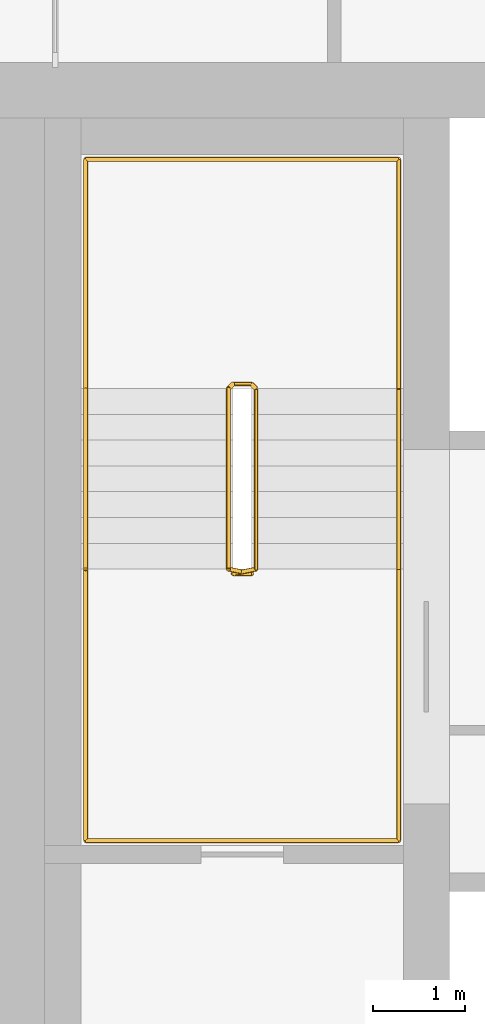
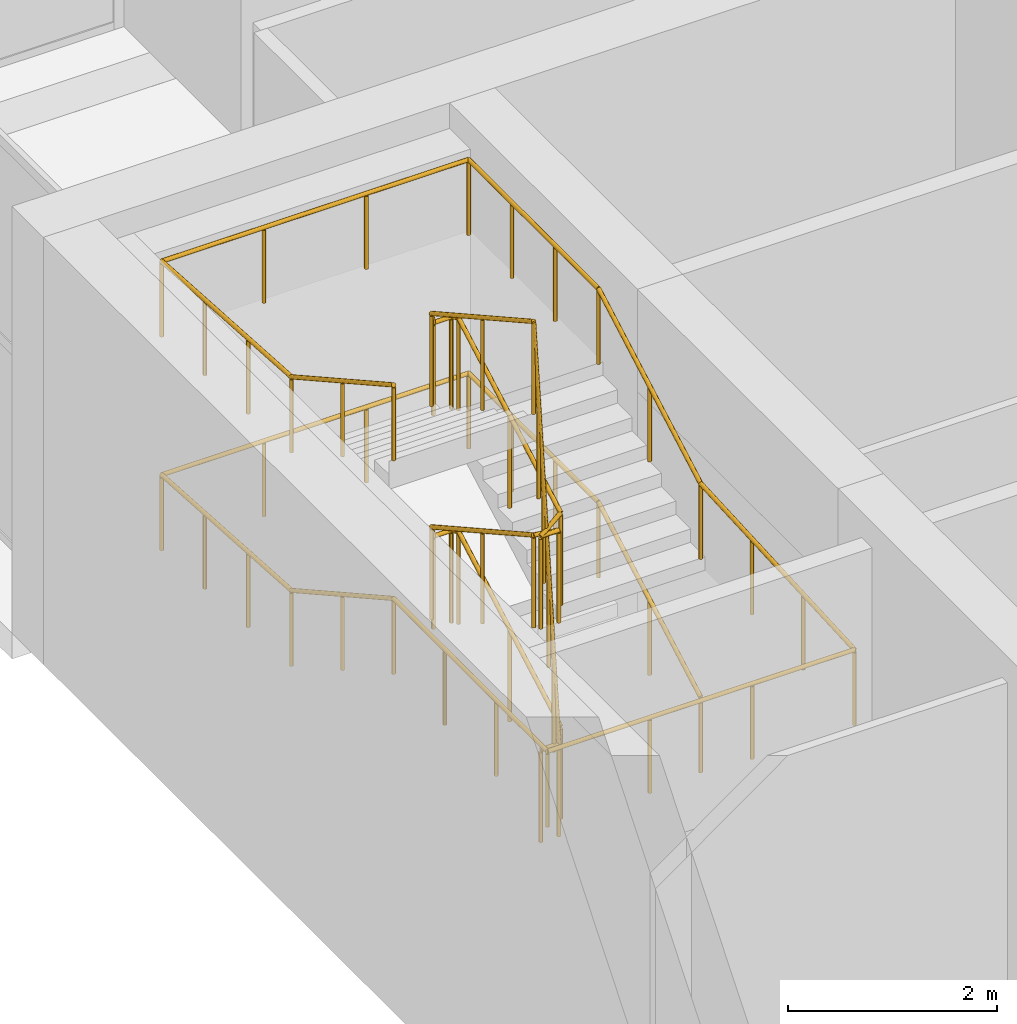
# One storey, part 15 of 15: 2 railings.
"""IFC4 building model written with IfcOpenShell, lengths in metres."""

from ifc_helpers import new_model, si_unit, direction, frame, origin, origin_2d, place, context, subcontext, project, spatial, circle, extrude, material, type_object, element, save


model = new_model("IFC4")

# Units and contexts
model_context = context("Model", 3, precision=1e-05, world=origin(), true_north=direction((0.0, 1.0)))
body_context = subcontext(model_context, "Body", "Model", "MODEL_VIEW")
ifc_project = project(units=[si_unit("LENGTHUNIT", "METRE"), si_unit("AREAUNIT", "SQUARE_METRE"), si_unit("VOLUMEUNIT", "CUBIC_METRE"), si_unit("PLANEANGLEUNIT", "RADIAN"), si_unit("MASSUNIT", "GRAM", prefix="KILO")], contexts=[model_context])

# Site, building, storey
site_placement = place(None, origin())
site = spatial("IfcSite", under=ifc_project, at=site_placement, CompositionType="ELEMENT")
building_placement = place(site_placement, origin())
building = spatial("IfcBuilding", under=site, at=building_placement, Name="Tamorin Gate", CompositionType="ELEMENT")
storey_placement = place(building_placement, frame((0.0, 0.0, 287.199951171875)))
storey = spatial("IfcBuildingStorey", under=building, at=storey_placement, Name="L72", CompositionType="ELEMENT", Elevation=287.199951171875)

# Railings
ifc_material_1 = material(Name="Painted steel balustrade", Category="steel")
railing_type_1 = type_object("IfcRailingType", Name="Stair guard 1100", PredefinedType="GUARDRAIL", material=ifc_material_1)
railing_1_placement = place(storey_placement, frame((32.89990234375, 77.0, 0.15625)))
element("IfcRailing", 1, at=railing_1_placement, inside=storey, type_object=railing_type_1, Name="L72 ST2 stair guard 1", PredefinedType="GUARDRAIL", context=body_context, shape_type="SweptSolid", body=[
    extrude(circle(Radius=0.02392578125, at=origin_2d()), frame((0.0, 0.0, 1.076171875), z_axis=(0.0, 0.873232148454, 0.487304437602), x_axis=(-1.0, 0.0, 0.0)), (0.0, 0.0, 1.0), 2.244384765625),
    extrude(circle(Radius=0.02392578125, at=origin_2d()), frame((0.0, 1.9599609375, 2.169921875), z_axis=(-0.705375805398, 0.708833529934, 0.0), x_axis=(-0.708833529934, -0.705375805398, 0.0)), (0.0, 0.0, 1.0), 0.070556640625),
    extrude(circle(Radius=0.02392578125, at=origin_2d()), frame((-0.0498046875, 2.010009765625, 2.169921875), z_axis=(-1.0, 0.0, 0.0), x_axis=(0.0, -1.0, 0.0)), (0.0, 0.0, 1.0), 0.2001953125),
    extrude(circle(Radius=0.02392578125, at=origin_2d()), frame((-0.25, 2.010009765625, 2.169921875), z_axis=(-0.290469530425, -0.291893400672, 0.911276958196), x_axis=(0.708833529934, -0.705375805398, 0.0)), (0.0, 0.0, 1.0), 0.17138671875),
    extrude(circle(Radius=0.02392578125, at=origin_2d()), frame((-0.2998046875, 1.9599609375, 2.326171875), z_axis=(0.0, -0.873232148454, 0.487304437602), x_axis=(1.0, 0.0, 0.0)), (0.0, 0.0, 1.0), 2.244384765625),
    extrude(circle(Radius=0.02392578125, at=origin_2d()), frame((-0.2998046875, 0.0, 3.419921875), z_axis=(0.98054382908, -0.196300278283, 0.0), x_axis=(0.196300278283, 0.98054382908, 0.0)), (0.0, 0.0, 1.0), 0.2548828125),
    extrude(circle(Radius=0.02392578125, at=origin_2d()), frame((-0.0498046875, -0.050048828125, 3.419921875), z_axis=(-1.0, 0.0, 0.0), x_axis=(0.0, -1.0, 0.0)), (0.0, 0.0, 1.0), 0.2001953125),
    extrude(circle(Radius=0.02392578125, at=origin_2d()), frame((-0.25, -0.050048828125, 3.419921875), z_axis=(0.836036486302, 0.167370585637, 0.522522803939), x_axis=(-0.196300278283, 0.98054382908, 0.0)), (0.0, 0.0, 1.0), 0.299072265625),
    extrude(circle(Radius=0.02392578125, at=origin_2d()), frame((0.0, 0.0, 3.576171875), z_axis=(0.0, 0.873232148454, 0.487304437602), x_axis=(-1.0, 0.0, 0.0)), (0.0, 0.0, 1.0), 2.244384765625),
    extrude(circle(Radius=0.02392578125, at=origin_2d()), frame((0.0, 1.9599609375, 4.669921875), z_axis=(-0.705375805398, 0.708833529934, 0.0), x_axis=(-0.708833529934, -0.705375805398, 0.0)), (0.0, 0.0, 1.0), 0.070556640625),
    extrude(circle(Radius=0.02392578125, at=origin_2d()), frame((-0.0498046875, 2.010009765625, 4.669921875), z_axis=(-1.0, 0.0, 0.0), x_axis=(0.0, -1.0, 0.0)), (0.0, 0.0, 1.0), 0.2001953125),
    extrude(circle(Radius=0.02392578125, at=origin_2d()), frame((-0.25, 2.010009765625, 4.669921875), z_axis=(-0.290469530425, -0.291893400672, 0.911276958196), x_axis=(0.708833529934, -0.705375805398, 0.0)), (0.0, 0.0, 1.0), 0.17138671875),
    extrude(circle(Radius=0.02392578125, at=origin_2d()), frame((-0.2998046875, 1.9599609375, 4.826171875), z_axis=(0.0, -0.873232148454, 0.487304437602), x_axis=(1.0, 0.0, 0.0)), (0.0, 0.0, 1.0), 2.244384765625),
    extrude(circle(Radius=0.02392578125, at=origin_2d()), frame((-0.2998046875, 0.0, 5.919921875), z_axis=(0.04993512161, -0.009996777275, -0.998702432196), x_axis=(0.196300278283, 0.98054382908, 0.0)), (0.0, 0.0, 1.0), 5.006591796875),
    extrude(circle(Radius=0.02392578125, at=origin_2d()), frame((-0.0498046875, -0.050048828125, 0.919921875), z_axis=(-1.0, 0.0, 0.0), x_axis=(0.0, -1.0, 0.0)), (0.0, 0.0, 1.0), 0.2001953125),
    extrude(circle(Radius=0.02099609375, at=origin_2d()), origin(), (0.0, 0.0, 1.0), 1.052001953125),
    extrude(circle(Radius=0.02099609375, at=origin_2d()), frame((0.0, 0.97998046875, 0.546875)), (0.0, 0.0, 1.0), 1.052001953125),
    extrude(circle(Radius=0.02099609375, at=origin_2d()), frame((0.0, 1.9599609375, 1.09375)), (0.0, 0.0, 1.0), 1.052001953125),
    extrude(circle(Radius=0.02099609375, at=origin_2d()), frame((-0.0498046875, 2.010009765625, 1.09375)), (0.0, 0.0, 1.0), 1.052001953125),
    extrude(circle(Radius=0.02099609375, at=origin_2d()), frame((-0.25, 2.010009765625, 1.09375)), (0.0, 0.0, 1.0), 1.052001953125),
    extrude(circle(Radius=0.02099609375, at=origin_2d()), frame((-0.2998046875, 1.9599609375, 1.25)), (0.0, 0.0, 1.0), 1.052001953125),
    extrude(circle(Radius=0.02099609375, at=origin_2d()), frame((-0.2998046875, 0.97998046875, 1.796875)), (0.0, 0.0, 1.0), 1.052001953125),
    extrude(circle(Radius=0.02099609375, at=origin_2d()), frame((-0.2998046875, 0.0, 2.34375)), (0.0, 0.0, 1.0), 1.052001953125),
    extrude(circle(Radius=0.02099609375, at=origin_2d()), frame((-0.0498046875, -0.050048828125, 2.34375)), (0.0, 0.0, 1.0), 1.052001953125),
    extrude(circle(Radius=0.02099609375, at=origin_2d()), frame((-0.25, -0.050048828125, 2.34375)), (0.0, 0.0, 1.0), 1.052001953125),
    extrude(circle(Radius=0.02099609375, at=origin_2d()), frame((0.0, 0.0, 2.5)), (0.0, 0.0, 1.0), 1.052001953125),
    extrude(circle(Radius=0.02099609375, at=origin_2d()), frame((0.0, 0.97998046875, 3.046875)), (0.0, 0.0, 1.0), 1.052001953125),
    extrude(circle(Radius=0.02099609375, at=origin_2d()), frame((0.0, 1.9599609375, 3.59375)), (0.0, 0.0, 1.0), 1.052001953125),
    extrude(circle(Radius=0.02099609375, at=origin_2d()), frame((-0.0498046875, 2.010009765625, 3.59375)), (0.0, 0.0, 1.0), 1.052001953125),
    extrude(circle(Radius=0.02099609375, at=origin_2d()), frame((-0.25, 2.010009765625, 3.59375)), (0.0, 0.0, 1.0), 1.052001953125),
    extrude(circle(Radius=0.02099609375, at=origin_2d()), frame((-0.2998046875, 1.9599609375, 3.75)), (0.0, 0.0, 1.0), 1.052001953125),
    extrude(circle(Radius=0.02099609375, at=origin_2d()), frame((-0.2998046875, 0.97998046875, 4.296875)), (0.0, 0.0, 1.0), 1.052001953125),
    extrude(circle(Radius=0.02099609375, at=origin_2d()), frame((-0.2998046875, 0.0, 4.84375)), (0.0, 0.0, 1.0), 1.052001953125),
    extrude(circle(Radius=0.02099609375, at=origin_2d()), frame((-0.249755859375, -0.010009765625, 3.84375)), (0.0, 0.0, 1.0), 1.052001953125),
    extrude(circle(Radius=0.02099609375, at=origin_2d()), frame((-0.19970703125, -0.02001953125, 2.84375)), (0.0, 0.0, 1.0), 1.052001953125),
    extrude(circle(Radius=0.02099609375, at=origin_2d()), frame((-0.14990234375, -0.030029296875, 1.84375)), (0.0, 0.0, 1.0), 1.052001953125),
    extrude(circle(Radius=0.02099609375, at=origin_2d()), frame((-0.099853515625, -0.0400390625, 0.84375)), (0.0, 0.0, 1.0), 1.052001953125),
    extrude(circle(Radius=0.02099609375, at=origin_2d()), frame((-0.0498046875, -0.050048828125, -0.15625)), (0.0, 0.0, 1.0), 1.052001953125),
    extrude(circle(Radius=0.02099609375, at=origin_2d()), frame((-0.25, -0.050048828125, -0.15625)), (0.0, 0.0, 1.0), 1.052001953125),
])
ifc_material_2 = material(Name="Painted steel handrail", Category="steel")
railing_type_2 = type_object("IfcRailingType", Name="Stair handrail 900", PredefinedType="HANDRAIL", material=ifc_material_2)
railing_2_placement = place(storey_placement, frame((34.449951171875, 77.0, 0.15625)))
element("IfcRailing", 2, at=railing_2_placement, inside=storey, type_object=railing_type_2, Name="L72 ST2 stair handrail 1", PredefinedType="HANDRAIL", context=body_context, shape_type="SweptSolid", body=[
    extrude(circle(Radius=0.02392578125, at=origin_2d()), frame((0.0, 0.0, 0.8759765625), z_axis=(0.0, 0.873232148454, 0.487304437602), x_axis=(-1.0, 0.0, 0.0)), (0.0, 0.0, 1.0), 2.244384765625),
    extrude(circle(Radius=0.02392578125, at=origin_2d()), frame((0.0, 1.9599609375, 1.9697265625), z_axis=(0.0, 1.0, 0.0), x_axis=(-1.0, 0.0, 0.0)), (0.0, 0.0, 1.0), 2.489990234375),
    extrude(circle(Radius=0.02392578125, at=origin_2d()), frame((0.0, 4.449951171875, 1.9697265625), z_axis=(-1.0, 0.0, 0.0), x_axis=(0.0, -1.0, 0.0)), (0.0, 0.0, 1.0), 3.39990234375),
    extrude(circle(Radius=0.02392578125, at=origin_2d()), frame((-3.39990234375, 4.449951171875, 1.9697265625), z_axis=(0.0, -0.998036935902, 0.062628065396), x_axis=(1.0, 0.0, 0.0)), (0.0, 0.0, 1.0), 2.494873046875),
    extrude(circle(Radius=0.02392578125, at=origin_2d()), frame((-3.39990234375, 1.9599609375, 2.1259765625), z_axis=(0.0, -0.873232148454, 0.487304437602), x_axis=(1.0, 0.0, 0.0)), (0.0, 0.0, 1.0), 2.244384765625),
    extrude(circle(Radius=0.02392578125, at=origin_2d()), frame((-3.39990234375, 0.0, 3.2197265625), z_axis=(0.0, -1.0, 0.0), x_axis=(1.0, 0.0, 0.0)), (0.0, 0.0, 1.0), 2.949951171875),
    extrude(circle(Radius=0.02392578125, at=origin_2d()), frame((-3.39990234375, -2.949951171875, 3.2197265625), z_axis=(1.0, 0.0, 0.0), x_axis=(0.0, 1.0, 0.0)), (0.0, 0.0, 1.0), 3.39990234375),
    extrude(circle(Radius=0.02392578125, at=origin_2d()), frame((0.0, -2.949951171875, 3.2197265625), z_axis=(0.0, 0.998600194279, 0.05289283492), x_axis=(-1.0, 0.0, 0.0)), (0.0, 0.0, 1.0), 2.9541015625),
    extrude(circle(Radius=0.02392578125, at=origin_2d()), frame((0.0, 0.0, 3.3759765625), z_axis=(0.0, 0.873232148454, 0.487304437602), x_axis=(-1.0, 0.0, 0.0)), (0.0, 0.0, 1.0), 2.244384765625),
    extrude(circle(Radius=0.02392578125, at=origin_2d()), frame((0.0, 1.9599609375, 4.4697265625), z_axis=(0.0, 1.0, 0.0), x_axis=(-1.0, 0.0, 0.0)), (0.0, 0.0, 1.0), 2.489990234375),
    extrude(circle(Radius=0.02392578125, at=origin_2d()), frame((0.0, 4.449951171875, 4.4697265625), z_axis=(-1.0, 0.0, 0.0), x_axis=(0.0, -1.0, 0.0)), (0.0, 0.0, 1.0), 3.39990234375),
    extrude(circle(Radius=0.02392578125, at=origin_2d()), frame((-3.39990234375, 4.449951171875, 4.4697265625), z_axis=(0.0, -0.998036935902, 0.062628065396), x_axis=(1.0, 0.0, 0.0)), (0.0, 0.0, 1.0), 2.494873046875),
    extrude(circle(Radius=0.02392578125, at=origin_2d()), frame((-3.39990234375, 1.9599609375, 4.6259765625), z_axis=(0.0, -0.873232148454, 0.487304437602), x_axis=(1.0, 0.0, 0.0)), (0.0, 0.0, 1.0), 2.244384765625),
    extrude(circle(Radius=0.02099609375, at=origin_2d()), origin(), (0.0, 0.0, 1.0), 0.851806640625),
    extrude(circle(Radius=0.02099609375, at=origin_2d()), frame((0.0, 0.97998046875, 0.546875)), (0.0, 0.0, 1.0), 0.851806640625),
    extrude(circle(Radius=0.02099609375, at=origin_2d()), frame((0.0, 1.9599609375, 1.09375)), (0.0, 0.0, 1.0), 0.851806640625),
    extrude(circle(Radius=0.02099609375, at=origin_2d()), frame((0.0, 2.7900390625, 1.09375)), (0.0, 0.0, 1.0), 0.851806640625),
    extrude(circle(Radius=0.02099609375, at=origin_2d()), frame((0.0, 3.619873046875, 1.09375)), (0.0, 0.0, 1.0), 0.851806640625),
    extrude(circle(Radius=0.02099609375, at=origin_2d()), frame((0.0, 4.449951171875, 1.09375)), (0.0, 0.0, 1.0), 0.851806640625),
    extrude(circle(Radius=0.02099609375, at=origin_2d()), frame((-1.13330078125, 4.449951171875, 1.09375)), (0.0, 0.0, 1.0), 0.851806640625),
    extrude(circle(Radius=0.02099609375, at=origin_2d()), frame((-2.2666015625, 4.449951171875, 1.09375)), (0.0, 0.0, 1.0), 0.851806640625),
    extrude(circle(Radius=0.02099609375, at=origin_2d()), frame((-3.39990234375, 4.449951171875, 1.09375)), (0.0, 0.0, 1.0), 0.851806640625),
    extrude(circle(Radius=0.02099609375, at=origin_2d()), frame((-3.39990234375, 3.619873046875, 1.145751953125)), (0.0, 0.0, 1.0), 0.851806640625),
    extrude(circle(Radius=0.02099609375, at=origin_2d()), frame((-3.39990234375, 2.7900390625, 1.197998046875)), (0.0, 0.0, 1.0), 0.851806640625),
    extrude(circle(Radius=0.02099609375, at=origin_2d()), frame((-3.39990234375, 1.9599609375, 1.25)), (0.0, 0.0, 1.0), 0.851806640625),
    extrude(circle(Radius=0.02099609375, at=origin_2d()), frame((-3.39990234375, 0.97998046875, 1.796875)), (0.0, 0.0, 1.0), 0.851806640625),
    extrude(circle(Radius=0.02099609375, at=origin_2d()), frame((-3.39990234375, 0.0, 2.34375)), (0.0, 0.0, 1.0), 0.851806640625),
    extrude(circle(Radius=0.02099609375, at=origin_2d()), frame((-3.39990234375, -0.9833984375, 2.34375)), (0.0, 0.0, 1.0), 0.851806640625),
    extrude(circle(Radius=0.02099609375, at=origin_2d()), frame((-3.39990234375, -1.966552734375, 2.34375)), (0.0, 0.0, 1.0), 0.851806640625),
    extrude(circle(Radius=0.02099609375, at=origin_2d()), frame((-3.39990234375, -2.949951171875, 2.34375)), (0.0, 0.0, 1.0), 0.851806640625),
    extrude(circle(Radius=0.02099609375, at=origin_2d()), frame((-2.2666015625, -2.949951171875, 2.34375)), (0.0, 0.0, 1.0), 0.851806640625),
    extrude(circle(Radius=0.02099609375, at=origin_2d()), frame((-1.13330078125, -2.949951171875, 2.34375)), (0.0, 0.0, 1.0), 0.851806640625),
    extrude(circle(Radius=0.02099609375, at=origin_2d()), frame((0.0, -2.949951171875, 2.34375)), (0.0, 0.0, 1.0), 0.851806640625),
    extrude(circle(Radius=0.02099609375, at=origin_2d()), frame((0.0, -1.966552734375, 2.395751953125)), (0.0, 0.0, 1.0), 0.851806640625),
    extrude(circle(Radius=0.02099609375, at=origin_2d()), frame((0.0, -0.9833984375, 2.447998046875)), (0.0, 0.0, 1.0), 0.851806640625),
    extrude(circle(Radius=0.02099609375, at=origin_2d()), frame((0.0, 0.0, 2.5)), (0.0, 0.0, 1.0), 0.851806640625),
    extrude(circle(Radius=0.02099609375, at=origin_2d()), frame((0.0, 0.97998046875, 3.046875)), (0.0, 0.0, 1.0), 0.851806640625),
    extrude(circle(Radius=0.02099609375, at=origin_2d()), frame((0.0, 1.9599609375, 3.59375)), (0.0, 0.0, 1.0), 0.851806640625),
    extrude(circle(Radius=0.02099609375, at=origin_2d()), frame((0.0, 2.7900390625, 3.59375)), (0.0, 0.0, 1.0), 0.851806640625),
    extrude(circle(Radius=0.02099609375, at=origin_2d()), frame((0.0, 3.619873046875, 3.59375)), (0.0, 0.0, 1.0), 0.851806640625),
    extrude(circle(Radius=0.02099609375, at=origin_2d()), frame((0.0, 4.449951171875, 3.59375)), (0.0, 0.0, 1.0), 0.851806640625),
    extrude(circle(Radius=0.02099609375, at=origin_2d()), frame((-1.13330078125, 4.449951171875, 3.59375)), (0.0, 0.0, 1.0), 0.851806640625),
    extrude(circle(Radius=0.02099609375, at=origin_2d()), frame((-2.2666015625, 4.449951171875, 3.59375)), (0.0, 0.0, 1.0), 0.851806640625),
    extrude(circle(Radius=0.02099609375, at=origin_2d()), frame((-3.39990234375, 4.449951171875, 3.59375)), (0.0, 0.0, 1.0), 0.851806640625),
    extrude(circle(Radius=0.02099609375, at=origin_2d()), frame((-3.39990234375, 3.619873046875, 3.645751953125)), (0.0, 0.0, 1.0), 0.851806640625),
    extrude(circle(Radius=0.02099609375, at=origin_2d()), frame((-3.39990234375, 2.7900390625, 3.697998046875)), (0.0, 0.0, 1.0), 0.851806640625),
    extrude(circle(Radius=0.02099609375, at=origin_2d()), frame((-3.39990234375, 1.9599609375, 3.75)), (0.0, 0.0, 1.0), 0.851806640625),
    extrude(circle(Radius=0.02099609375, at=origin_2d()), frame((-3.39990234375, 0.97998046875, 4.296875)), (0.0, 0.0, 1.0), 0.851806640625),
    extrude(circle(Radius=0.02099609375, at=origin_2d()), frame((-3.39990234375, 0.0, 4.84375)), (0.0, 0.0, 1.0), 0.851806640625),
])

save(model, "model.ifc")
